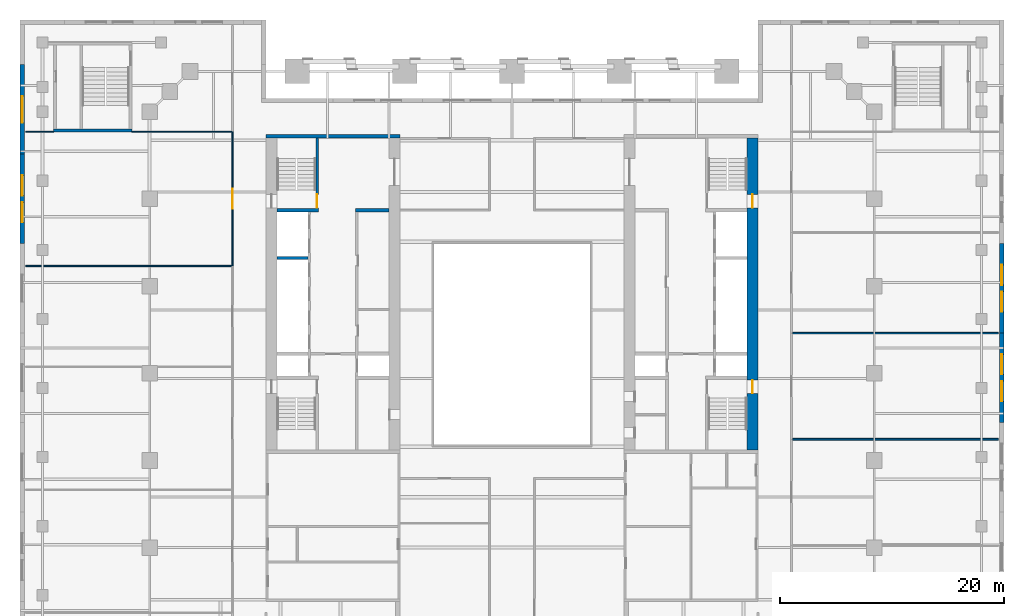
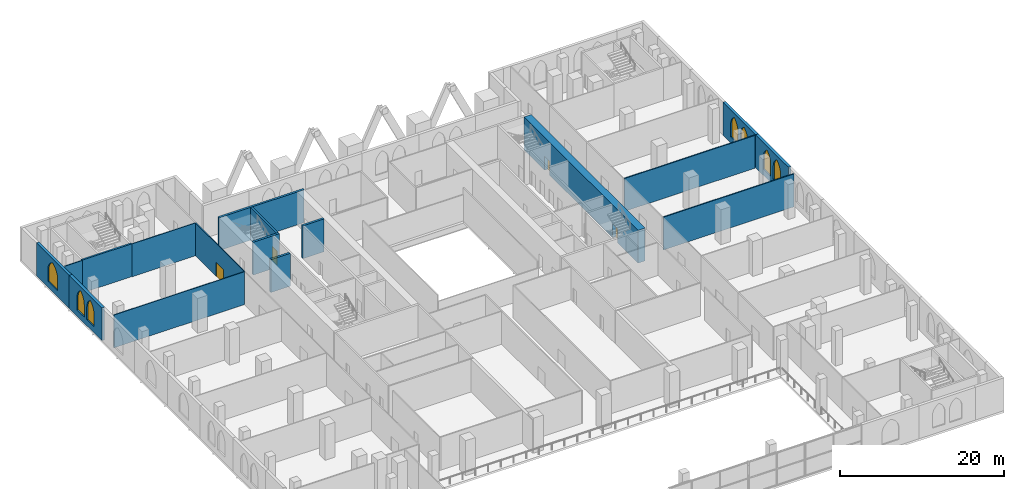
# One storey, part 15 of 22: 17 walls, 7 windows, 4 doors, 11 openings.
"""IFC4 building model written with IfcOpenShell, lengths in metres."""

from ifc_helpers import new_model, si_unit, direction, frame, frame_2d, origin, place, context, subcontext, project, spatial, polyline, rectangle, outline, extrude, material, layer, layer_set, type_object, element, fill, save


model = new_model("IFC4")

# Units and contexts
model_context = context("Model", 3, precision=1e-05, world=origin(), true_north=direction((0.0, 1.0)))
body_context = subcontext(model_context, "Body", "Model", "MODEL_VIEW")
ifc_project = project(units=[si_unit("LENGTHUNIT", "METRE"), si_unit("AREAUNIT", "SQUARE_METRE"), si_unit("VOLUMEUNIT", "CUBIC_METRE"), si_unit("PLANEANGLEUNIT", "RADIAN"), si_unit("MASSUNIT", "GRAM", prefix="KILO")], contexts=[model_context])

# Site, building, storey
site_placement = place(None, origin())
site = spatial("IfcSite", under=ifc_project, at=site_placement, CompositionType="ELEMENT")
building_placement = place(site_placement, origin())
building = spatial("IfcBuilding", under=site, at=building_placement, Name="Ogive Exchange Tower", CompositionType="ELEMENT")
storey_placement = place(building_placement, frame((0.0, 0.0, 14.0)))
storey = spatial("IfcBuildingStorey", under=building, at=storey_placement, Name="L02", CompositionType="ELEMENT", Elevation=14.0)

# Walls
ifc_material_1 = material(Name="Gypsum board partition")
ifc_layer_1 = layer(ifc_material_1, 0.300048828125)
ifc_layer_set_1 = layer_set([ifc_layer_1], Name="Core room partition 300 gypsum")
wall_type_1 = type_object("IfcWallType", Name="Core room partition 300 gypsum", PredefinedType="PARTITIONING", material=ifc_layer_set_1)
wall_1_placement = place(storey_placement, frame((-14.0, 19.0, 0.0), z_axis=(0.0, 0.0, 1.0), x_axis=(1.0, 0.0, 0.0)))
element("IfcWall", 1, at=wall_1_placement, inside=storey, type_object=wall_type_1, Name="W row B room end wall 7", PredefinedType="PARTITIONING", context=body_context, shape_type="SweptSolid", body=[
    extrude(rectangle(XDim=3.0, YDim=0.300048828125, at=frame_2d((1.5, 0.0))), origin(), (0.0, 0.0, 1.0), 4.89990234375),
])
ifc_material_2 = material(Name="Fire partition EI 60 150")
ifc_layer_2 = layer(ifc_material_2, 0.14990234375)
ifc_layer_set_2 = layer_set([ifc_layer_2], Name="Fire partition EI 60 150")
wall_type_2 = type_object("IfcWallType", Name="Fire partition EI 60 150", PredefinedType="PARTITIONING", material=ifc_layer_set_2)
for number, where, z_axis, x_axis, name in (
    (2, (25.074951171875, -1.5, 0.0), (0.0, 0.0, 1.0), (1.0, 0.0, 0.0), "L02-PWL-023"),
    (3, (25.074951171875, 8.0, 0.0), (0.0, 0.0, 1.0), (1.0, 0.0, 0.0), "L02-PWL-026"),
):
    element("IfcWall", number, at=place(storey_placement, frame(where, z_axis=z_axis, x_axis=x_axis)), inside=storey, type_object=wall_type_2, Name=name, PredefinedType="PARTITIONING", context=body_context, shape_type="SweptSolid", body=[
        extrude(rectangle(XDim=18.425048828125, YDim=0.14990234375, at=frame_2d((9.21240234375, 0.0))), origin(), (0.0, 0.0, 1.0), 4.89990234375),
    ])

# Wall, opening, door
ifc_material_3 = material(Name="Glazed fire partition EI 60 120")
ifc_layer_3 = layer(ifc_material_3, 0.1201171875)
ifc_layer_set_3 = layer_set([ifc_layer_3], Name="Glazed fire partition EI 60 120")
wall_type_3 = type_object("IfcWallType", Name="Glazed fire partition EI 60 120", PredefinedType="PARTITIONING", material=ifc_layer_set_3)
wall_2_placement = place(storey_placement, frame((-25.0, 14.0, 0.0), z_axis=(0.0, 0.0, 1.0), x_axis=(0.0, 1.0, 0.0)))
wall_2 = element("IfcWall", 4, at=wall_2_placement, inside=storey, type_object=wall_type_3, Name="L02-PWL-045", PredefinedType="PARTITIONING", context=body_context, shape_type="SweptSolid", body=[
    extrude(rectangle(XDim=12.0, YDim=0.1201171875, at=frame_2d((6.0, 0.0))), origin(), (0.0, 0.0, 1.0), 4.89990234375),
])
opening_1_placement = place(wall_2_placement, frame((5.10009765625, 0.0, 0.0)))
opening_1 = element("IfcOpeningElement", 5, at=opening_1_placement, cuts=wall_2, Name="Opening L02-I07", PredefinedType="OPENING", context=body_context, shape_type="SweptSolid", body=[
    extrude(rectangle(XDim=1.800048828125, YDim=2.10009765625, at=frame_2d((0.89990234375, 1.050048828125))), frame((0.0, 0.070068359375, 0.0), z_axis=(0.0, -1.0, 0.0), x_axis=(1.0, 0.0, 0.0)), (0.0, 0.0, 1.0), 0.14013671875),
])
ifc_material_4 = material(Name="Fire door FD 30S 1800 x 2100")
door_type_1 = type_object("IfcDoorType", Name="Fire door FD 30S 1800 x 2100", OperationType="DOUBLE_DOOR_SINGLE_SWING", PredefinedType="DOOR", material=ifc_material_4)
door_1_placement = place(opening_1_placement, origin())
door_1 = element("IfcDoor", 6, at=door_1_placement, inside=storey, type_object=door_type_1, Name="L02-IDR-007", ObjectType="DT4", OperationType="SINGLE_SWING_RIGHT", OverallHeight=2.10009765625, OverallWidth=1.800048828125, PredefinedType="DOOR", context=body_context, shape_type="SweptSolid", body=[
    extrude(rectangle(XDim=1.800048828125, YDim=2.10009765625, at=frame_2d((0.89990234375, 1.050048828125))), frame((0.0, 0.02490234375, 0.0), z_axis=(0.0, -1.0, 0.0), x_axis=(1.0, 0.0, 0.0)), (0.0, 0.0, 1.0), 0.050048828125),
])
fill(opening_1, door_1)

# Wall, openings, windows
ifc_material_5 = material(Name="Precast concrete C40/50", Category="concrete")
ifc_layer_4 = layer(ifc_material_5, 0.39990234375)
ifc_layer_set_4 = layer_set([ifc_layer_4], Name="Limestone-faced wall 400")
wall_type_4 = type_object("IfcWallType", Name="Limestone-faced wall 400", PredefinedType="STANDARD", material=ifc_layer_set_4)
wall_3_placement = place(storey_placement, frame((43.800048828125, 0.0, 0.0), z_axis=(0.0, 0.0, 1.0), x_axis=(0.0, 1.0, 0.0)))
wall_3 = element("IfcWall", 7, at=wall_3_placement, inside=storey, type_object=wall_type_4, Name="Podium wall E8", PredefinedType="STANDARD", context=body_context, shape_type="SweptSolid", body=[
    extrude(rectangle(XDim=8.0, YDim=0.39990234375, at=frame_2d((4.0, 0.0))), origin(), (0.0, 0.0, 1.0), 4.89990234375),
])
opening_2_placement = place(wall_3_placement, frame((1.89990234375, 0.0, 0.89990234375)))
opening_2 = element("IfcOpeningElement", 8, at=opening_2_placement, cuts=wall_3, Name="Opening WQ340", PredefinedType="OPENING", context=body_context, shape_type="SweptSolid", body=[
    extrude(outline(polyline([(0.0, 0.0), (1.800048828125, 0.0), (1.800048828125, 1.841064453125), (1.78466796875, 2.075927734375), (1.73876953125, 2.306884765625), (1.6630859375, 2.52978515625), (1.558837890625, 2.740966796875), (1.427978515625, 2.936767578125), (1.272705078125, 3.11376953125), (1.095703125, 3.26904296875), (0.89990234375, 3.39990234375), (0.704345703125, 3.26904296875), (0.52734375, 3.11376953125), (0.3720703125, 2.936767578125), (0.2412109375, 2.740966796875), (0.136962890625, 2.52978515625), (0.061279296875, 2.306884765625), (0.015380859375, 2.075927734375), (0.0, 1.841064453125), (0.0, 0.0)])), frame((0.0, 0.2099609375, 0.0), z_axis=(0.0, -1.0, 0.0), x_axis=(1.0, 0.0, 0.0)), (0.0, 0.0, 1.0), 0.419921875),
])
opening_3_placement = place(wall_3_placement, frame((4.300048828125, 0.0, 0.89990234375)))
opening_3 = element("IfcOpeningElement", 9, at=opening_3_placement, cuts=wall_3, Name="Opening WQ340", PredefinedType="OPENING", context=body_context, shape_type="SweptSolid", body=[
    extrude(outline(polyline([(0.0, 0.0), (1.800048828125, 0.0), (1.800048828125, 1.841064453125), (1.78466796875, 2.075927734375), (1.73876953125, 2.306884765625), (1.6630859375, 2.52978515625), (1.558837890625, 2.740966796875), (1.427978515625, 2.936767578125), (1.272705078125, 3.11376953125), (1.095703125, 3.26904296875), (0.89990234375, 3.39990234375), (0.704345703125, 3.26904296875), (0.52734375, 3.11376953125), (0.3720703125, 2.936767578125), (0.2412109375, 2.740966796875), (0.136962890625, 2.52978515625), (0.061279296875, 2.306884765625), (0.015380859375, 2.075927734375), (0.0, 1.841064453125), (0.0, 0.0)])), frame((0.0, 0.2099609375, 0.0), z_axis=(0.0, -1.0, 0.0), x_axis=(1.0, 0.0, 0.0)), (0.0, 0.0, 1.0), 0.419921875),
])
ifc_material_6 = material(Name="Clear glass in bronze frame", Category="glass")
window_type_1 = type_object("IfcWindowType", Name="Podium paired lancet 1800 x 3400", PartitioningType="DOUBLE_PANEL_VERTICAL", PredefinedType="WINDOW", material=ifc_material_6)
window_1_placement = place(opening_2_placement, origin())
window_1 = element("IfcWindow", 10, at=window_1_placement, inside=storey, type_object=window_type_1, Name="Podium paired lancet E8.1", OverallHeight=3.39990234375, OverallWidth=1.800048828125, PartitioningType="DOUBLE_PANEL_VERTICAL", PredefinedType="WINDOW", context=body_context, shape_type="SweptSolid", body=[
    extrude(outline(polyline([(0.0, 0.0), (1.800048828125, 0.0), (1.800048828125, 1.841064453125), (1.78466796875, 2.075927734375), (1.73876953125, 2.306884765625), (1.6630859375, 2.52978515625), (1.558837890625, 2.740966796875), (1.427978515625, 2.936767578125), (1.272705078125, 3.11376953125), (1.095703125, 3.26904296875), (0.89990234375, 3.39990234375), (0.704345703125, 3.26904296875), (0.52734375, 3.11376953125), (0.3720703125, 2.936767578125), (0.2412109375, 2.740966796875), (0.136962890625, 2.52978515625), (0.061279296875, 2.306884765625), (0.015380859375, 2.075927734375), (0.0, 1.841064453125), (0.0, 0.0)])), frame((0.0, 0.030029296875, 0.0), z_axis=(0.0, -1.0, 0.0), x_axis=(1.0, 0.0, 0.0)), (0.0, 0.0, 1.0), 0.06005859375),
])
fill(opening_2, window_1)
window_2_placement = place(opening_3_placement, origin())
window_2 = element("IfcWindow", 11, at=window_2_placement, inside=storey, type_object=window_type_1, Name="Podium paired lancet E8.2", OverallHeight=3.39990234375, OverallWidth=1.800048828125, PartitioningType="DOUBLE_PANEL_VERTICAL", PredefinedType="WINDOW", context=body_context, shape_type="SweptSolid", body=[
    extrude(outline(polyline([(0.0, 0.0), (1.800048828125, 0.0), (1.800048828125, 1.841064453125), (1.78466796875, 2.075927734375), (1.73876953125, 2.306884765625), (1.6630859375, 2.52978515625), (1.558837890625, 2.740966796875), (1.427978515625, 2.936767578125), (1.272705078125, 3.11376953125), (1.095703125, 3.26904296875), (0.89990234375, 3.39990234375), (0.704345703125, 3.26904296875), (0.52734375, 3.11376953125), (0.3720703125, 2.936767578125), (0.2412109375, 2.740966796875), (0.136962890625, 2.52978515625), (0.061279296875, 2.306884765625), (0.015380859375, 2.075927734375), (0.0, 1.841064453125), (0.0, 0.0)])), frame((0.0, 0.030029296875, 0.0), z_axis=(0.0, -1.0, 0.0), x_axis=(1.0, 0.0, 0.0)), (0.0, 0.0, 1.0), 0.06005859375),
])
fill(opening_3, window_2)

wall_4_placement = place(storey_placement, frame((43.800048828125, 8.0, 0.0), z_axis=(0.0, 0.0, 1.0), x_axis=(0.0, 1.0, 0.0)))
wall_4 = element("IfcWall", 12, at=wall_4_placement, inside=storey, type_object=wall_type_4, Name="Podium wall E9", PredefinedType="STANDARD", context=body_context, shape_type="SweptSolid", body=[
    extrude(rectangle(XDim=8.0, YDim=0.39990234375, at=frame_2d((4.0, 0.0))), origin(), (0.0, 0.0, 1.0), 4.89990234375),
])
opening_4_placement = place(wall_4_placement, frame((1.89990234375, 0.0, 0.89990234375)))
opening_4 = element("IfcOpeningElement", 13, at=opening_4_placement, cuts=wall_4, Name="Opening WQ340", PredefinedType="OPENING", context=body_context, shape_type="SweptSolid", body=[
    extrude(outline(polyline([(0.0, 0.0), (1.800048828125, 0.0), (1.800048828125, 1.841064453125), (1.78466796875, 2.075927734375), (1.73876953125, 2.306884765625), (1.6630859375, 2.52978515625), (1.558837890625, 2.740966796875), (1.427978515625, 2.936767578125), (1.272705078125, 3.11376953125), (1.095703125, 3.26904296875), (0.89990234375, 3.39990234375), (0.704345703125, 3.26904296875), (0.52734375, 3.11376953125), (0.3720703125, 2.936767578125), (0.2412109375, 2.740966796875), (0.136962890625, 2.52978515625), (0.061279296875, 2.306884765625), (0.015380859375, 2.075927734375), (0.0, 1.841064453125), (0.0, 0.0)])), frame((0.0, 0.2099609375, 0.0), z_axis=(0.0, -1.0, 0.0), x_axis=(1.0, 0.0, 0.0)), (0.0, 0.0, 1.0), 0.419921875),
])
opening_5_placement = place(wall_4_placement, frame((4.300048828125, 0.0, 0.89990234375)))
opening_5 = element("IfcOpeningElement", 14, at=opening_5_placement, cuts=wall_4, Name="Opening WQ340", PredefinedType="OPENING", context=body_context, shape_type="SweptSolid", body=[
    extrude(outline(polyline([(0.0, 0.0), (1.800048828125, 0.0), (1.800048828125, 1.841064453125), (1.78466796875, 2.075927734375), (1.73876953125, 2.306884765625), (1.6630859375, 2.52978515625), (1.558837890625, 2.740966796875), (1.427978515625, 2.936767578125), (1.272705078125, 3.11376953125), (1.095703125, 3.26904296875), (0.89990234375, 3.39990234375), (0.704345703125, 3.26904296875), (0.52734375, 3.11376953125), (0.3720703125, 2.936767578125), (0.2412109375, 2.740966796875), (0.136962890625, 2.52978515625), (0.061279296875, 2.306884765625), (0.015380859375, 2.075927734375), (0.0, 1.841064453125), (0.0, 0.0)])), frame((0.0, 0.2099609375, 0.0), z_axis=(0.0, -1.0, 0.0), x_axis=(1.0, 0.0, 0.0)), (0.0, 0.0, 1.0), 0.419921875),
])
window_3_placement = place(opening_4_placement, origin())
window_3 = element("IfcWindow", 15, at=window_3_placement, inside=storey, type_object=window_type_1, Name="Podium paired lancet E9.1", OverallHeight=3.39990234375, OverallWidth=1.800048828125, PartitioningType="DOUBLE_PANEL_VERTICAL", PredefinedType="WINDOW", context=body_context, shape_type="SweptSolid", body=[
    extrude(outline(polyline([(0.0, 0.0), (1.800048828125, 0.0), (1.800048828125, 1.841064453125), (1.78466796875, 2.075927734375), (1.73876953125, 2.306884765625), (1.6630859375, 2.52978515625), (1.558837890625, 2.740966796875), (1.427978515625, 2.936767578125), (1.272705078125, 3.11376953125), (1.095703125, 3.26904296875), (0.89990234375, 3.39990234375), (0.704345703125, 3.26904296875), (0.52734375, 3.11376953125), (0.3720703125, 2.936767578125), (0.2412109375, 2.740966796875), (0.136962890625, 2.52978515625), (0.061279296875, 2.306884765625), (0.015380859375, 2.075927734375), (0.0, 1.841064453125), (0.0, 0.0)])), frame((0.0, 0.030029296875, 0.0), z_axis=(0.0, -1.0, 0.0), x_axis=(1.0, 0.0, 0.0)), (0.0, 0.0, 1.0), 0.06005859375),
])
fill(opening_4, window_3)
window_4_placement = place(opening_5_placement, origin())
window_4 = element("IfcWindow", 16, at=window_4_placement, inside=storey, type_object=window_type_1, Name="Podium paired lancet E9.2", OverallHeight=3.39990234375, OverallWidth=1.800048828125, PartitioningType="DOUBLE_PANEL_VERTICAL", PredefinedType="WINDOW", context=body_context, shape_type="SweptSolid", body=[
    extrude(outline(polyline([(0.0, 0.0), (1.800048828125, 0.0), (1.800048828125, 1.841064453125), (1.78466796875, 2.075927734375), (1.73876953125, 2.306884765625), (1.6630859375, 2.52978515625), (1.558837890625, 2.740966796875), (1.427978515625, 2.936767578125), (1.272705078125, 3.11376953125), (1.095703125, 3.26904296875), (0.89990234375, 3.39990234375), (0.704345703125, 3.26904296875), (0.52734375, 3.11376953125), (0.3720703125, 2.936767578125), (0.2412109375, 2.740966796875), (0.136962890625, 2.52978515625), (0.061279296875, 2.306884765625), (0.015380859375, 2.075927734375), (0.0, 1.841064453125), (0.0, 0.0)])), frame((0.0, 0.030029296875, 0.0), z_axis=(0.0, -1.0, 0.0), x_axis=(1.0, 0.0, 0.0)), (0.0, 0.0, 1.0), 0.06005859375),
])
fill(opening_5, window_4)

# Wall, opening, window
wall_5_placement = place(storey_placement, frame((-43.800048828125, 32.0, 0.0), z_axis=(0.0, 0.0, 1.0), x_axis=(0.0, -1.0, 0.0)))
wall_5 = element("IfcWall", 17, at=wall_5_placement, inside=storey, type_object=wall_type_4, Name="Podium wall W2", PredefinedType="STANDARD", context=body_context, shape_type="SweptSolid", body=[
    extrude(rectangle(XDim=8.0, YDim=0.39990234375, at=frame_2d((4.0, 0.0))), origin(), (0.0, 0.0, 1.0), 4.89990234375),
])
opening_6_placement = place(wall_5_placement, frame((2.800048828125, 0.0, 0.89990234375)))
opening_6 = element("IfcOpeningElement", 18, at=opening_6_placement, cuts=wall_5, Name="Opening WP340", PredefinedType="OPENING", context=body_context, shape_type="SweptSolid", body=[
    extrude(outline(polyline([(0.0, 0.0), (2.39990234375, 0.0), (2.39990234375, 1.699951171875), (2.378662109375, 1.97607421875), (2.3154296875, 2.24560546875), (2.211669921875, 2.50244140625), (2.069580078125, 2.740234375), (1.89306640625, 2.95361328125), (1.685791015625, 3.137451171875), (1.453125, 3.287353515625), (1.199951171875, 3.39990234375), (0.94677734375, 3.287353515625), (0.714111328125, 3.137451171875), (0.5068359375, 2.95361328125), (0.330322265625, 2.740234375), (0.188232421875, 2.50244140625), (0.08447265625, 2.24560546875), (0.021240234375, 1.97607421875), (0.0, 1.699951171875), (0.0, 0.0)])), frame((0.0, 0.2099609375, 0.0), z_axis=(0.0, -1.0, 0.0), x_axis=(1.0, 0.0, 0.0)), (0.0, 0.0, 1.0), 0.419921875),
])
window_type_2 = type_object("IfcWindowType", Name="Podium lancet window 2400 x 3400", PartitioningType="DOUBLE_PANEL_VERTICAL", PredefinedType="WINDOW", material=ifc_material_6)
window_5_placement = place(opening_6_placement, origin())
window_5 = element("IfcWindow", 19, at=window_5_placement, inside=storey, type_object=window_type_2, Name="Podium window W2", OverallHeight=3.39990234375, OverallWidth=2.39990234375, PartitioningType="DOUBLE_PANEL_VERTICAL", PredefinedType="WINDOW", context=body_context, shape_type="SweptSolid", body=[
    extrude(outline(polyline([(0.0, 0.0), (2.39990234375, 0.0), (2.39990234375, 1.699951171875), (2.378662109375, 1.97607421875), (2.3154296875, 2.24560546875), (2.211669921875, 2.50244140625), (2.069580078125, 2.740234375), (1.89306640625, 2.95361328125), (1.685791015625, 3.137451171875), (1.453125, 3.287353515625), (1.199951171875, 3.39990234375), (0.94677734375, 3.287353515625), (0.714111328125, 3.137451171875), (0.5068359375, 2.95361328125), (0.330322265625, 2.740234375), (0.188232421875, 2.50244140625), (0.08447265625, 2.24560546875), (0.021240234375, 1.97607421875), (0.0, 1.699951171875), (0.0, 0.0)])), frame((0.0, 0.030029296875, 0.0), z_axis=(0.0, -1.0, 0.0), x_axis=(1.0, 0.0, 0.0)), (0.0, 0.0, 1.0), 0.06005859375),
])
fill(opening_6, window_5)

# Wall, openings, windows
wall_6_placement = place(storey_placement, frame((-43.800048828125, 24.0, 0.0), z_axis=(0.0, 0.0, 1.0), x_axis=(0.0, -1.0, 0.0)))
wall_6 = element("IfcWall", 20, at=wall_6_placement, inside=storey, type_object=wall_type_4, Name="Podium wall W3", PredefinedType="STANDARD", context=body_context, shape_type="SweptSolid", body=[
    extrude(rectangle(XDim=8.0, YDim=0.39990234375, at=frame_2d((4.0, 0.0))), origin(), (0.0, 0.0, 1.0), 4.89990234375),
])
opening_7_placement = place(wall_6_placement, frame((1.89990234375, 0.0, 0.89990234375)))
opening_7 = element("IfcOpeningElement", 21, at=opening_7_placement, cuts=wall_6, Name="Opening WQ340", PredefinedType="OPENING", context=body_context, shape_type="SweptSolid", body=[
    extrude(outline(polyline([(0.0, 0.0), (1.800048828125, 0.0), (1.800048828125, 1.841064453125), (1.78466796875, 2.075927734375), (1.73876953125, 2.306884765625), (1.6630859375, 2.52978515625), (1.558837890625, 2.740966796875), (1.427978515625, 2.936767578125), (1.272705078125, 3.11376953125), (1.095703125, 3.26904296875), (0.89990234375, 3.39990234375), (0.704345703125, 3.26904296875), (0.52734375, 3.11376953125), (0.3720703125, 2.936767578125), (0.2412109375, 2.740966796875), (0.136962890625, 2.52978515625), (0.061279296875, 2.306884765625), (0.015380859375, 2.075927734375), (0.0, 1.841064453125), (0.0, 0.0)])), frame((0.0, 0.2099609375, 0.0), z_axis=(0.0, -1.0, 0.0), x_axis=(1.0, 0.0, 0.0)), (0.0, 0.0, 1.0), 0.419921875),
])
opening_8_placement = place(wall_6_placement, frame((4.300048828125, 0.0, 0.89990234375)))
opening_8 = element("IfcOpeningElement", 22, at=opening_8_placement, cuts=wall_6, Name="Opening WQ340", PredefinedType="OPENING", context=body_context, shape_type="SweptSolid", body=[
    extrude(outline(polyline([(0.0, 0.0), (1.800048828125, 0.0), (1.800048828125, 1.841064453125), (1.78466796875, 2.075927734375), (1.73876953125, 2.306884765625), (1.6630859375, 2.52978515625), (1.558837890625, 2.740966796875), (1.427978515625, 2.936767578125), (1.272705078125, 3.11376953125), (1.095703125, 3.26904296875), (0.89990234375, 3.39990234375), (0.704345703125, 3.26904296875), (0.52734375, 3.11376953125), (0.3720703125, 2.936767578125), (0.2412109375, 2.740966796875), (0.136962890625, 2.52978515625), (0.061279296875, 2.306884765625), (0.015380859375, 2.075927734375), (0.0, 1.841064453125), (0.0, 0.0)])), frame((0.0, 0.2099609375, 0.0), z_axis=(0.0, -1.0, 0.0), x_axis=(1.0, 0.0, 0.0)), (0.0, 0.0, 1.0), 0.419921875),
])
window_6_placement = place(opening_7_placement, origin())
window_6 = element("IfcWindow", 23, at=window_6_placement, inside=storey, type_object=window_type_1, Name="Podium paired lancet W3.1", OverallHeight=3.39990234375, OverallWidth=1.800048828125, PartitioningType="DOUBLE_PANEL_VERTICAL", PredefinedType="WINDOW", context=body_context, shape_type="SweptSolid", body=[
    extrude(outline(polyline([(0.0, 0.0), (1.800048828125, 0.0), (1.800048828125, 1.841064453125), (1.78466796875, 2.075927734375), (1.73876953125, 2.306884765625), (1.6630859375, 2.52978515625), (1.558837890625, 2.740966796875), (1.427978515625, 2.936767578125), (1.272705078125, 3.11376953125), (1.095703125, 3.26904296875), (0.89990234375, 3.39990234375), (0.704345703125, 3.26904296875), (0.52734375, 3.11376953125), (0.3720703125, 2.936767578125), (0.2412109375, 2.740966796875), (0.136962890625, 2.52978515625), (0.061279296875, 2.306884765625), (0.015380859375, 2.075927734375), (0.0, 1.841064453125), (0.0, 0.0)])), frame((0.0, 0.030029296875, 0.0), z_axis=(0.0, -1.0, 0.0), x_axis=(1.0, 0.0, 0.0)), (0.0, 0.0, 1.0), 0.06005859375),
])
fill(opening_7, window_6)
window_7_placement = place(opening_8_placement, origin())
window_7 = element("IfcWindow", 24, at=window_7_placement, inside=storey, type_object=window_type_1, Name="Podium paired lancet W3.2", OverallHeight=3.39990234375, OverallWidth=1.800048828125, PartitioningType="DOUBLE_PANEL_VERTICAL", PredefinedType="WINDOW", context=body_context, shape_type="SweptSolid", body=[
    extrude(outline(polyline([(0.0, 0.0), (1.800048828125, 0.0), (1.800048828125, 1.841064453125), (1.78466796875, 2.075927734375), (1.73876953125, 2.306884765625), (1.6630859375, 2.52978515625), (1.558837890625, 2.740966796875), (1.427978515625, 2.936767578125), (1.272705078125, 3.11376953125), (1.095703125, 3.26904296875), (0.89990234375, 3.39990234375), (0.704345703125, 3.26904296875), (0.52734375, 3.11376953125), (0.3720703125, 2.936767578125), (0.2412109375, 2.740966796875), (0.136962890625, 2.52978515625), (0.061279296875, 2.306884765625), (0.015380859375, 2.075927734375), (0.0, 1.841064453125), (0.0, 0.0)])), frame((0.0, 0.030029296875, 0.0), z_axis=(0.0, -1.0, 0.0), x_axis=(1.0, 0.0, 0.0)), (0.0, 0.0, 1.0), 0.06005859375),
])
fill(opening_8, window_7)

# Walls
ifc_material_7 = material(Name="Partition 100 gypsum")
ifc_layer_5 = layer(ifc_material_7, 0.10009765625)
ifc_layer_set_5 = layer_set([ifc_layer_5], Name="Partition 100 gypsum")
wall_type_5 = type_object("IfcWallType", Name="Partition 100 gypsum", PredefinedType="PARTITIONING", material=ifc_layer_set_5)
wall_7_placement = place(storey_placement, frame((-43.5, 14.0, 0.0), z_axis=(0.0, 0.0, 1.0), x_axis=(1.0, 0.0, 0.0)))
element("IfcWall", 25, at=wall_7_placement, inside=storey, type_object=wall_type_5, Name="L02-PWL-027", PredefinedType="PARTITIONING", context=body_context, shape_type="SweptSolid", body=[
    extrude(rectangle(XDim=18.43994140625, YDim=0.10009765625, at=frame_2d((9.219970703125, 0.0))), origin(), (0.0, 0.0, 1.0), 4.89990234375),
])
wall_8_placement = place(storey_placement, frame((-43.5, 26.0, 0.0), z_axis=(0.0, 0.0, 1.0), x_axis=(1.0, 0.0, 0.0)))
element("IfcWall", 26, at=wall_8_placement, inside=storey, type_object=wall_type_5, Name="L02-PWL-033", PredefinedType="PARTITIONING", context=body_context, shape_type="SweptSolid", body=[
    extrude(rectangle(XDim=2.5, YDim=0.10009765625, at=frame_2d((1.25, 0.0))), origin(), (0.0, 0.0, 1.0), 4.89990234375),
])
wall_9_placement = place(storey_placement, frame((-34.0, 26.0, 0.0), z_axis=(0.0, 0.0, 1.0), x_axis=(1.0, 0.0, 0.0)))
element("IfcWall", 27, at=wall_9_placement, inside=storey, type_object=wall_type_5, Name="L02-PWL-034", PredefinedType="PARTITIONING", context=body_context, shape_type="SweptSolid", body=[
    extrude(rectangle(XDim=8.925048828125, YDim=0.10009765625, at=frame_2d((4.46240234375, 0.0))), origin(), (0.0, 0.0, 1.0), 4.89990234375),
])

# Wall, openings, doors
ifc_material_8 = material(Name="Concrete C70/85", Category="concrete")
ifc_layer_6 = layer(ifc_material_8, 1.0)
ifc_layer_set_6 = layer_set([ifc_layer_6], Name="RC core wall 1000 C70/85")
wall_type_6 = type_object("IfcWallType", Name="RC core wall 1000 C70/85", PredefinedType="SHEAR", material=ifc_layer_set_6)
wall_10_placement = place(storey_placement, frame((21.5, -2.449951171875, 0.0), z_axis=(0.0, 0.0, 1.0), x_axis=(0.0, 1.0, 0.0)))
wall_10 = element("IfcWall", 28, at=wall_10_placement, inside=storey, type_object=wall_type_6, Name="E outer wall", PredefinedType="SHEAR", context=body_context, shape_type="SweptSolid", body=[
    extrude(rectangle(XDim=27.89990234375, YDim=1.0, at=frame_2d((13.949951171875, 0.0))), origin(), (0.0, 0.0, 1.0), 4.89990234375),
])
opening_9_placement = place(wall_10_placement, frame((5.050048828125, 0.0, 0.0)))
opening_9 = element("IfcOpeningElement", 29, at=opening_9_placement, cuts=wall_10, Name="Opening L02-C34", PredefinedType="OPENING", context=body_context, shape_type="SweptSolid", body=[
    extrude(rectangle(XDim=1.199951171875, YDim=2.10009765625, at=frame_2d((0.60009765625, 1.050048828125))), frame((0.0, 0.510009765625, 0.0), z_axis=(0.0, -1.0, 0.0), x_axis=(1.0, 0.0, 0.0)), (0.0, 0.0, 1.0), 1.02001953125),
])
opening_10_placement = place(wall_10_placement, frame((21.64990234375, 0.0, 0.0)))
opening_10 = element("IfcOpeningElement", 30, at=opening_10_placement, cuts=wall_10, Name="Opening L02-C36", PredefinedType="OPENING", context=body_context, shape_type="SweptSolid", body=[
    extrude(rectangle(XDim=1.199951171875, YDim=2.10009765625, at=frame_2d((0.60009765625, 1.050048828125))), frame((0.0, 0.510009765625, 0.0), z_axis=(0.0, -1.0, 0.0), x_axis=(1.0, 0.0, 0.0)), (0.0, 0.0, 1.0), 1.02001953125),
])
ifc_material_9 = material(Name="Steel fire door", Category="steel")
door_type_2 = type_object("IfcDoorType", Name="Stair door FD90 1200 x 2100", OperationType="NOTDEFINED", PredefinedType="DOOR", material=ifc_material_9)
door_2_placement = place(opening_9_placement, origin())
door_2 = element("IfcDoor", 31, at=door_2_placement, inside=storey, type_object=door_type_2, Name="Stair door", ObjectType="CD5", OperationType="SINGLE_SWING_LEFT", OverallHeight=2.10009765625, OverallWidth=1.199951171875, PredefinedType="DOOR", context=body_context, shape_type="SweptSolid", body=[
    extrude(rectangle(XDim=1.199951171875, YDim=2.10009765625, at=frame_2d((0.60009765625, 1.050048828125))), frame((0.0, 0.02490234375, 0.0), z_axis=(0.0, -1.0, 0.0), x_axis=(1.0, 0.0, 0.0)), (0.0, 0.0, 1.0), 0.050048828125),
])
fill(opening_9, door_2)
door_3_placement = place(opening_10_placement, origin())
door_3 = element("IfcDoor", 32, at=door_3_placement, inside=storey, type_object=door_type_2, Name="Stair door", ObjectType="CD5", OperationType="SINGLE_SWING_RIGHT", OverallHeight=2.10009765625, OverallWidth=1.199951171875, PredefinedType="DOOR", context=body_context, shape_type="SweptSolid", body=[
    extrude(rectangle(XDim=1.199951171875, YDim=2.10009765625, at=frame_2d((0.60009765625, 1.050048828125))), frame((0.0, 0.02490234375, 0.0), z_axis=(0.0, -1.0, 0.0), x_axis=(1.0, 0.0, 0.0)), (0.0, 0.0, 1.0), 0.050048828125),
])
fill(opening_10, door_3)

# Wall, opening, door
ifc_layer_7 = layer(ifc_material_8, 0.25)
ifc_layer_set_7 = layer_set([ifc_layer_7], Name="RC core wall 250 C70/85")
wall_type_7 = type_object("IfcWallType", Name="RC core wall 250 C70/85", PredefinedType="SHEAR", material=ifc_layer_set_7)
wall_11_placement = place(storey_placement, frame((-17.425048828125, 19.14990234375, 0.0), z_axis=(0.0, 0.0, 1.0), x_axis=(0.0, 1.0, 0.0)))
wall_11 = element("IfcWall", 33, at=wall_11_placement, inside=storey, type_object=wall_type_7, Name="W stair N front wall", PredefinedType="SHEAR", context=body_context, shape_type="SweptSolid", body=[
    extrude(rectangle(XDim=6.300048828125, YDim=0.25, at=frame_2d((3.14990234375, 0.0))), origin(), (0.0, 0.0, 1.0), 4.89990234375),
])
opening_11_placement = place(wall_11_placement, frame((0.050048828125, 0.0, 0.0)))
opening_11 = element("IfcOpeningElement", 34, at=opening_11_placement, cuts=wall_11, Name="Opening L02-C15", PredefinedType="OPENING", context=body_context, shape_type="SweptSolid", body=[
    extrude(rectangle(XDim=1.199951171875, YDim=2.10009765625, at=frame_2d((0.60009765625, 1.050048828125))), frame((0.0, 0.135009765625, 0.0), z_axis=(0.0, -1.0, 0.0), x_axis=(1.0, 0.0, 0.0)), (0.0, 0.0, 1.0), 0.27001953125),
])
door_4_placement = place(opening_11_placement, origin())
door_4 = element("IfcDoor", 35, at=door_4_placement, inside=storey, type_object=door_type_2, Name="Stair door", ObjectType="CD5", OperationType="SINGLE_SWING_RIGHT", OverallHeight=2.10009765625, OverallWidth=1.199951171875, PredefinedType="DOOR", context=body_context, shape_type="SweptSolid", body=[
    extrude(rectangle(XDim=1.199951171875, YDim=2.10009765625, at=frame_2d((0.60009765625, 1.050048828125))), frame((0.0, 0.02490234375, 0.0), z_axis=(0.0, -1.0, 0.0), x_axis=(1.0, 0.0, 0.0)), (0.0, 0.0, 1.0), 0.050048828125),
])
fill(opening_11, door_4)

# Walls
wall_12_placement = place(storey_placement, frame((-41.0, 26.125, 0.0), z_axis=(0.0, 0.0, 1.0), x_axis=(1.0, 0.0, 0.0)))
element("IfcWall", 36, at=wall_12_placement, inside=storey, type_object=wall_type_7, Name="PS3 south wall", PredefinedType="SHEAR", context=body_context, shape_type="SweptSolid", body=[
    extrude(rectangle(XDim=7.0, YDim=0.25, at=frame_2d((3.5, 0.0))), origin(), (0.0, 0.0, 1.0), 4.89990234375),
])
ifc_layer_8 = layer(ifc_material_8, 0.300048828125)
ifc_layer_set_8 = layer_set([ifc_layer_8], Name="RC core wall 300 C70/85")
wall_type_8 = type_object("IfcWallType", Name="RC core wall 300 C70/85", PredefinedType="SHEAR", material=ifc_layer_set_8)
wall_13_placement = place(storey_placement, frame((-22.0, 25.60009765625, 0.0), z_axis=(0.0, 0.0, 1.0), x_axis=(1.0, 0.0, 0.0)))
element("IfcWall", 37, at=wall_13_placement, inside=storey, type_object=wall_type_8, Name="W north end wall", PredefinedType="SHEAR", context=body_context, shape_type="SweptSolid", body=[
    extrude(rectangle(XDim=12.0, YDim=0.300048828125, at=frame_2d((6.0, 0.0))), origin(), (0.0, 0.0, 1.0), 4.89990234375),
])
wall_14_placement = place(storey_placement, frame((-21.0, 19.0, 0.0), z_axis=(0.0, 0.0, 1.0), x_axis=(1.0, 0.0, 0.0)))
element("IfcWall", 38, at=wall_14_placement, inside=storey, type_object=wall_type_8, Name="W stair N south wall", PredefinedType="SHEAR", context=body_context, shape_type="SweptSolid", body=[
    extrude(rectangle(XDim=3.699951171875, YDim=0.300048828125, at=frame_2d((1.85009765625, 0.0))), origin(), (0.0, 0.0, 1.0), 4.89990234375),
])
wall_15_placement = place(storey_placement, frame((-21.0, 14.71435546875, 0.0), z_axis=(0.0, 0.0, 1.0), x_axis=(1.0, 0.0, 0.0)))
element("IfcWall", 39, at=wall_15_placement, inside=storey, type_object=wall_type_8, Name="W row A divider 5", PredefinedType="SHEAR", context=body_context, shape_type="SweptSolid", body=[
    extrude(rectangle(XDim=2.75, YDim=0.300048828125, at=frame_2d((1.375, 0.0))), origin(), (0.0, 0.0, 1.0), 4.89990234375),
])

save(model, "model.ifc")
